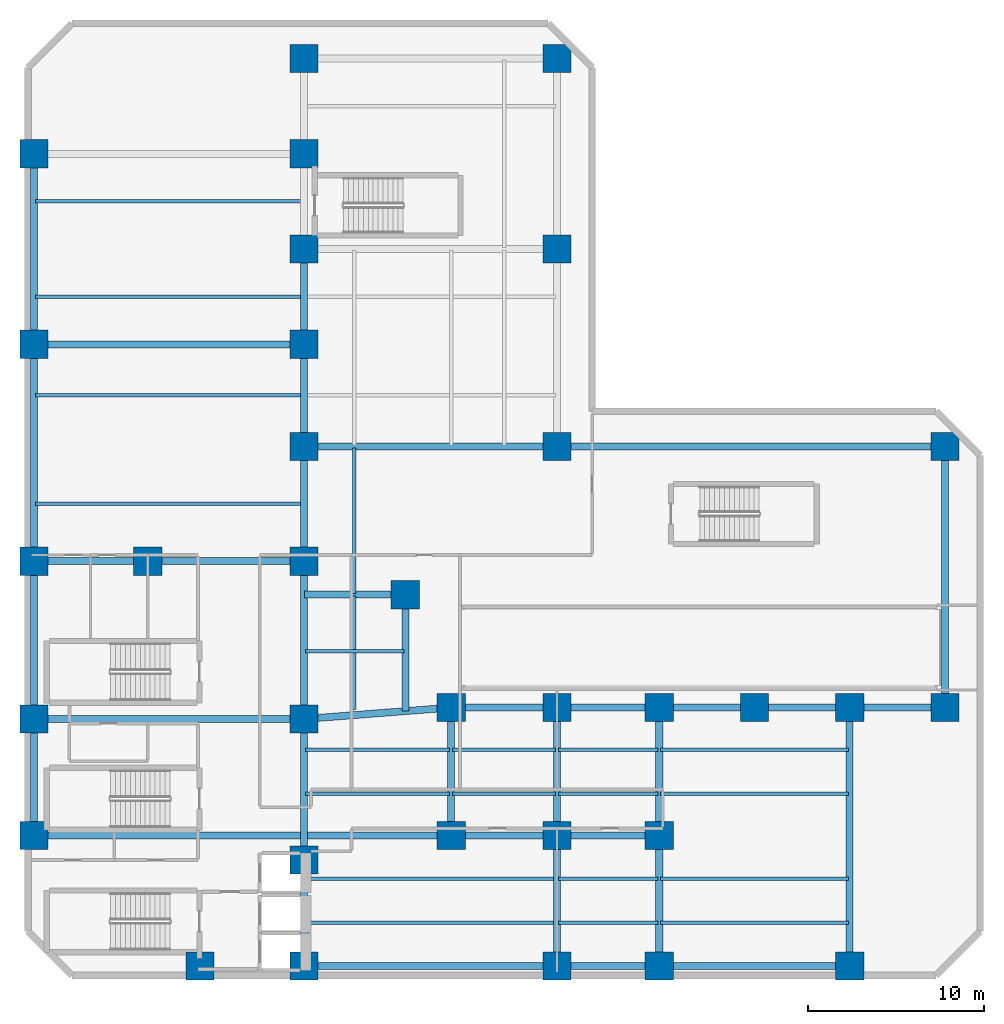
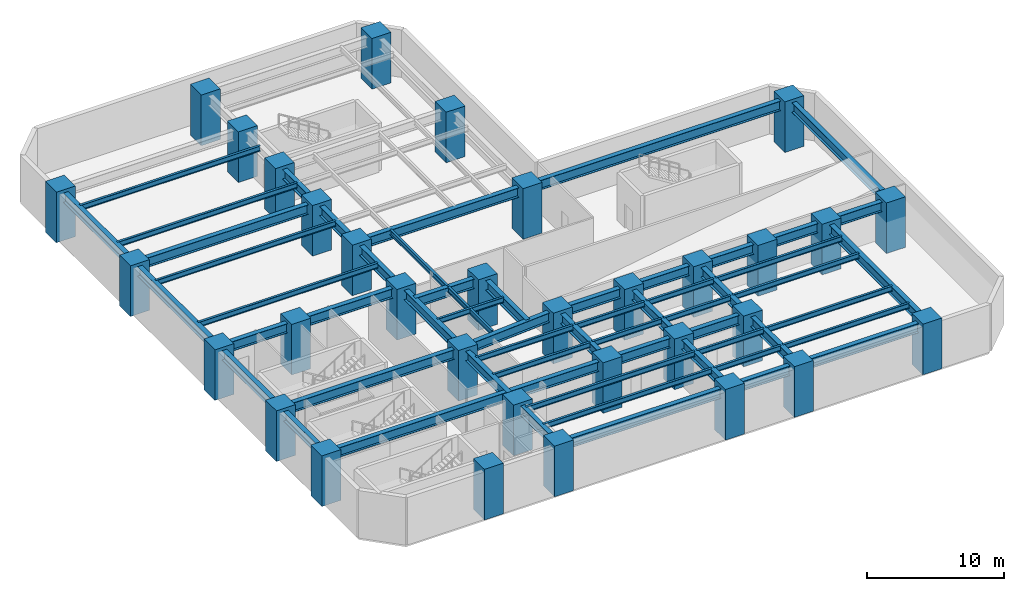
# One storey, part 1 of 7: 58 beams, 33 columns.
"""IFC4 building model written with IfcOpenShell, lengths in metres."""

from ifc_helpers import new_model, si_unit, direction, frame, origin, origin_2d, place, context, subcontext, project, spatial, rectangle, i_section, extrude, material, material_profile, profile_set, type_object, element, save


model = new_model("IFC4")

# Units and contexts
model_context = context("Model", 3, precision=1e-05, world=origin(), true_north=direction((0.0, 1.0)))
body_context = subcontext(model_context, "Body", "Model", "MODEL_VIEW")
ifc_project = project(units=[si_unit("LENGTHUNIT", "METRE"), si_unit("AREAUNIT", "SQUARE_METRE"), si_unit("VOLUMEUNIT", "CUBIC_METRE"), si_unit("PLANEANGLEUNIT", "RADIAN"), si_unit("MASSUNIT", "GRAM", prefix="KILO")], contexts=[model_context])

# Site, building, storey
site_placement = place(None, origin())
site = spatial("IfcSite", under=ifc_project, at=site_placement, CompositionType="ELEMENT")
building_placement = place(site_placement, origin())
building = spatial("IfcBuilding", under=site, at=building_placement, Name="Mawjaban Terraces University", CompositionType="ELEMENT")
storey_placement = place(building_placement, frame((0.0, 0.0, -4.5)))
storey = spatial("IfcBuildingStorey", under=building, at=storey_placement, Name="B1", CompositionType="ELEMENT", Elevation=-4.5)

# Columns
ifc_material_1 = material(Name="Concrete C70/85", Category="concrete")
ifc_material_profile_1 = material_profile(ifc_material_1, rectangle(XDim=1.60009765625, YDim=1.60009765625, at=origin_2d()), Name="RC1600X1600")
ifc_profile_set_1 = profile_set([ifc_material_profile_1], Name="Concrete C70/85")
column_type = type_object("IfcColumnType", Name="Col_RC1600X1600", PredefinedType="COLUMN", material=ifc_profile_set_1)
for number, where, z_axis, x_axis, name in (
    (1, (31.75, 0.550048828125, 0.0), (0.0, 0.0, 1.0), (1.0, 0.0, 0.0), "B1 Column CC2"),
    (2, (37.64990234375, 0.550048828125, 0.0), (0.0, 0.0, 1.0), (1.0, 0.0, 0.0), "B1 Column CC3"),
    (3, (22.35009765625, 7.949951171875, 0.0), (0.0, 0.0, 1.0), (1.0, 0.0, 0.0), "B1 Column CC4"),
    (4, (37.64990234375, 6.550048828125, 0.0), (0.0, 0.0, 1.0), (1.0, 0.0, 0.0), "B1 Column CC5"),
    (5, (22.35009765625, 14.550048828125, 0.0), (0.0, 0.0, 1.0), (1.0, 0.0, 0.0), "B1 Column CC6"),
    (6, (37.64990234375, 14.550048828125, 0.0), (0.0, 0.0, 1.0), (1.0, 0.0, 0.0), "B1 Column CC7"),
    (7, (22.35009765625, 23.5, 0.0), (0.0, 0.0, 1.0), (1.0, 0.0, 0.0), "B1 Column CC8"),
    (8, (28.800048828125, 23.5, 0.0), (0.0, 0.0, 1.0), (1.0, 0.0, 0.0), "B1 Column CC9"),
    (9, (37.64990234375, 23.5, 0.0), (0.0, 0.0, 1.0), (1.0, 0.0, 0.0), "B1 Column CC10"),
    (10, (46.0, 7.949951171875, 0.0), (0.0, 0.0, 1.0), (1.0, 0.0, 0.0), "B1 Column TE-460-080"),
    (11, (46.0, 15.199951171875, 0.0), (0.0, 0.0, 1.0), (1.0, 0.0, 0.0), "B1 Column TE-460-152"),
    (12, (52.0, 0.550048828125, 0.0), (0.0, 0.0, 1.0), (1.0, 0.0, 0.0), "B1 Column TE-520-005"),
    (13, (52.0, 7.949951171875, 0.0), (0.0, 0.0, 1.0), (1.0, 0.0, 0.0), "B1 Column TE-520-080"),
    (14, (52.0, 15.199951171875, 0.0), (0.0, 0.0, 1.0), (1.0, 0.0, 0.0), "B1 Column TE-520-152"),
    (15, (57.800048828125, 0.550048828125, 0.0), (0.0, 0.0, 1.0), (1.0, 0.0, 0.0), "B1 Column TE-578-005"),
    (16, (57.800048828125, 7.949951171875, 0.0), (0.0, 0.0, 1.0), (1.0, 0.0, 0.0), "B1 Column TE-578-080"),
    (17, (57.800048828125, 15.199951171875, 0.0), (0.0, 0.0, 1.0), (1.0, 0.0, 0.0), "B1 Column TE-578-152"),
    (18, (63.199951171875, 15.199951171875, 0.0), (0.0, 0.0, 1.0), (1.0, 0.0, 0.0), "B1 Column TE-632-152"),
    (19, (68.60009765625, 0.550048828125, 0.0), (0.0, 0.0, 1.0), (1.0, 0.0, 0.0), "B1 Column TE-686-005"),
    (20, (68.60009765625, 15.199951171875, 0.0), (0.0, 0.0, 1.0), (1.0, 0.0, 0.0), "B1 Column TE-686-152"),
    (21, (74.0, 15.199951171875, 0.0), (0.0, 0.0, 1.0), (1.0, 0.0, 0.0), "B1 Column TE-740-152"),
    (22, (37.64990234375, 30.0, 0.0), (0.0, 0.0, 1.0), (1.0, 0.0, 0.0), "B1 Column TN-376-300"),
    (23, (22.35009765625, 35.800048828125, 0.0), (0.0, 0.0, 1.0), (1.0, 0.0, 0.0), "B1 Column TN-223-358"),
    (24, (37.64990234375, 35.800048828125, 0.0), (0.0, 0.0, 1.0), (1.0, 0.0, 0.0), "B1 Column TN-376-358"),
    (25, (37.64990234375, 41.199951171875, 0.0), (0.0, 0.0, 1.0), (1.0, 0.0, 0.0), "B1 Column TN-376-412"),
    (26, (22.35009765625, 46.60009765625, 0.0), (0.0, 0.0, 1.0), (1.0, 0.0, 0.0), "B1 Column TN-223-466"),
    (27, (37.64990234375, 46.60009765625, 0.0), (0.0, 0.0, 1.0), (1.0, 0.0, 0.0), "B1 Column TN-376-466"),
    (28, (37.64990234375, 52.0, 0.0), (0.0, 0.0, 1.0), (1.0, 0.0, 0.0), "B1 Column TN-376-520"),
    (29, (43.39990234375, 21.60009765625, 0.0), (0.0, 0.0, 1.0), (1.0, 0.0, 0.0), "B1 Column TS-434-216"),
    (30, (52.0, 30.0, 0.0), (0.0, 0.0, 1.0), (1.0, 0.0, 0.0), "B1 Column PM-520-300"),
    (31, (74.0, 30.0, 0.0), (0.0, 0.0, 1.0), (1.0, 0.0, 0.0), "B1 Column PM-740-300"),
    (32, (52.0, 41.199951171875, 0.0), (0.0, 0.0, 1.0), (1.0, 0.0, 0.0), "B1 Column PM-520-412"),
    (33, (52.0, 52.0, 0.0), (0.0, 0.0, 1.0), (1.0, 0.0, 0.0), "B1 Column PM-520-520"),
):
    element("IfcColumn", number, at=place(storey_placement, frame(where, z_axis=z_axis, x_axis=x_axis)), inside=storey, type_object=column_type, Name=name, PredefinedType="COLUMN", context=body_context, shape_type="SweptSolid", body=[
        extrude(rectangle(XDim=1.60009765625, YDim=1.60009765625, at=origin_2d()), origin(), (0.0, 0.0, 1.0), 4.5),
    ])

# Beams
ifc_material_2 = material(Name="Steel ASTM A572 Grade 50", Category="steel")
ifc_material_profile_2 = material_profile(ifc_material_2, i_section(OverallWidth=0.39990234375, OverallDepth=0.85498046875, WebThickness=0.018310546875, FlangeThickness=0.029296875, at=origin_2d()), Name="W840X299")
ifc_profile_set_2 = profile_set([ifc_material_profile_2], Name="Steel ASTM A572 Grade 50")
beam_type_1 = type_object("IfcBeamType", Name="Beam_B_W840X299", PredefinedType="BEAM", material=ifc_profile_set_2)
beam_1_placement = place(storey_placement, frame((38.449951171875, 0.550048828125, 3.7919921875), z_axis=(1.0, 0.0, 0.0), x_axis=(0.0, 1.0, 0.0)))
element("IfcBeam", 34, at=beam_1_placement, inside=storey, type_object=beam_type_1, Name="B1 Beam BM-B1-EW-01", PredefinedType="BEAM", context=body_context, shape_type="SweptSolid", body=[
    extrude(i_section(OverallWidth=0.39990234375, OverallDepth=0.85498046875, WebThickness=0.018310546875, FlangeThickness=0.029296875, at=origin_2d()), origin(), (0.0, 0.0, 1.0), 12.75),
])
beam_2_placement = place(storey_placement, frame((52.800048828125, 0.550048828125, 3.7919921875), z_axis=(1.0, 0.0, 0.0), x_axis=(0.0, 1.0, 0.0)))
element("IfcBeam", 35, at=beam_2_placement, inside=storey, type_object=beam_type_1, Name="B1 Beam BM-B1-EW-02", PredefinedType="BEAM", context=body_context, shape_type="SweptSolid", body=[
    extrude(i_section(OverallWidth=0.39990234375, OverallDepth=0.85498046875, WebThickness=0.018310546875, FlangeThickness=0.029296875, at=origin_2d()), origin(), (0.0, 0.0, 1.0), 4.199951171875),
])
beam_3_placement = place(storey_placement, frame((58.60009765625, 0.550048828125, 3.7919921875), z_axis=(1.0, 0.0, 0.0), x_axis=(0.0, 1.0, 0.0)))
element("IfcBeam", 36, at=beam_3_placement, inside=storey, type_object=beam_type_1, Name="B1 Beam BM-B1-EW-03", PredefinedType="BEAM", context=body_context, shape_type="SweptSolid", body=[
    extrude(i_section(OverallWidth=0.39990234375, OverallDepth=0.85498046875, WebThickness=0.018310546875, FlangeThickness=0.029296875, at=origin_2d()), origin(), (0.0, 0.0, 1.0), 9.199951171875),
])
beam_4_placement = place(storey_placement, frame((23.14990234375, 7.949951171875, 3.7919921875), z_axis=(1.0, 0.0, 0.0), x_axis=(0.0, 1.0, 0.0)))
element("IfcBeam", 37, at=beam_4_placement, inside=storey, type_object=beam_type_1, Name="B1 Beam BM-B1-EW-04", PredefinedType="BEAM", context=body_context, shape_type="SweptSolid", body=[
    extrude(i_section(OverallWidth=0.39990234375, OverallDepth=0.85498046875, WebThickness=0.018310546875, FlangeThickness=0.029296875, at=origin_2d()), origin(), (0.0, 0.0, 1.0), 22.050048828125),
])
beam_5_placement = place(storey_placement, frame((46.800048828125, 7.949951171875, 3.7919921875), z_axis=(1.0, 0.0, 0.0), x_axis=(0.0, 1.0, 0.0)))
element("IfcBeam", 38, at=beam_5_placement, inside=storey, type_object=beam_type_1, Name="B1 Beam BM-B1-EW-05", PredefinedType="BEAM", context=body_context, shape_type="SweptSolid", body=[
    extrude(i_section(OverallWidth=0.39990234375, OverallDepth=0.85498046875, WebThickness=0.018310546875, FlangeThickness=0.029296875, at=origin_2d()), origin(), (0.0, 0.0, 1.0), 4.39990234375),
])
beam_6_placement = place(storey_placement, frame((52.800048828125, 7.949951171875, 3.7919921875), z_axis=(1.0, 0.0, 0.0), x_axis=(0.0, 1.0, 0.0)))
element("IfcBeam", 39, at=beam_6_placement, inside=storey, type_object=beam_type_1, Name="B1 Beam BM-B1-EW-06", PredefinedType="BEAM", context=body_context, shape_type="SweptSolid", body=[
    extrude(i_section(OverallWidth=0.39990234375, OverallDepth=0.85498046875, WebThickness=0.018310546875, FlangeThickness=0.029296875, at=origin_2d()), origin(), (0.0, 0.0, 1.0), 4.199951171875),
])
beam_7_placement = place(storey_placement, frame((23.14990234375, 14.550048828125, 3.7919921875), z_axis=(1.0, 0.0, 0.0), x_axis=(0.0, 1.0, 0.0)))
element("IfcBeam", 40, at=beam_7_placement, inside=storey, type_object=beam_type_1, Name="B1 Beam BM-B1-EW-07", PredefinedType="BEAM", context=body_context, shape_type="SweptSolid", body=[
    extrude(i_section(OverallWidth=0.39990234375, OverallDepth=0.85498046875, WebThickness=0.018310546875, FlangeThickness=0.029296875, at=origin_2d()), origin(), (0.0, 0.0, 1.0), 13.7001953125),
])
beam_8_placement = place(storey_placement, frame((46.800048828125, 15.199951171875, 3.7919921875), z_axis=(1.0, 0.0, 0.0), x_axis=(0.0, 1.0, 0.0)))
element("IfcBeam", 41, at=beam_8_placement, inside=storey, type_object=beam_type_1, Name="B1 Beam BM-B1-EW-08", PredefinedType="BEAM", context=body_context, shape_type="SweptSolid", body=[
    extrude(i_section(OverallWidth=0.39990234375, OverallDepth=0.85498046875, WebThickness=0.018310546875, FlangeThickness=0.029296875, at=origin_2d()), origin(), (0.0, 0.0, 1.0), 4.39990234375),
])
beam_9_placement = place(storey_placement, frame((52.800048828125, 15.199951171875, 3.7919921875), z_axis=(1.0, 0.0, 0.0), x_axis=(0.0, 1.0, 0.0)))
element("IfcBeam", 42, at=beam_9_placement, inside=storey, type_object=beam_type_1, Name="B1 Beam BM-B1-EW-09", PredefinedType="BEAM", context=body_context, shape_type="SweptSolid", body=[
    extrude(i_section(OverallWidth=0.39990234375, OverallDepth=0.85498046875, WebThickness=0.018310546875, FlangeThickness=0.029296875, at=origin_2d()), origin(), (0.0, 0.0, 1.0), 4.199951171875),
])
beam_10_placement = place(storey_placement, frame((58.60009765625, 15.199951171875, 3.7919921875), z_axis=(1.0, 0.0, 0.0), x_axis=(0.0, 1.0, 0.0)))
element("IfcBeam", 43, at=beam_10_placement, inside=storey, type_object=beam_type_1, Name="B1 Beam BM-B1-EW-10", PredefinedType="BEAM", context=body_context, shape_type="SweptSolid", body=[
    extrude(i_section(OverallWidth=0.39990234375, OverallDepth=0.85498046875, WebThickness=0.018310546875, FlangeThickness=0.029296875, at=origin_2d()), origin(), (0.0, 0.0, 1.0), 3.7998046875),
])
for number, where, z_axis, x_axis, name in (
    (44, (64.0, 15.199951171875, 3.7919921875), (1.0, 0.0, 0.0), (0.0, 1.0, 0.0), "B1 Beam BM-B1-EW-11"),
    (45, (69.39990234375, 15.199951171875, 3.7919921875), (1.0, 0.0, 0.0), (0.0, 1.0, 0.0), "B1 Beam BM-B1-EW-12"),
):
    element("IfcBeam", number, at=place(storey_placement, frame(where, z_axis=z_axis, x_axis=x_axis)), inside=storey, type_object=beam_type_1, Name=name, PredefinedType="BEAM", context=body_context, shape_type="SweptSolid", body=[
        extrude(i_section(OverallWidth=0.39990234375, OverallDepth=0.85498046875, WebThickness=0.018310546875, FlangeThickness=0.029296875, at=origin_2d()), origin(), (0.0, 0.0, 1.0), 3.800048828125),
    ])
beam_11_placement = place(storey_placement, frame((23.14990234375, 23.5, 3.7919921875), z_axis=(1.0, 0.0, 0.0), x_axis=(0.0, 1.0, 0.0)))
element("IfcBeam", 46, at=beam_11_placement, inside=storey, type_object=beam_type_1, Name="B1 Beam BM-B1-EW-13", PredefinedType="BEAM", context=body_context, shape_type="SweptSolid", body=[
    extrude(i_section(OverallWidth=0.39990234375, OverallDepth=0.85498046875, WebThickness=0.018310546875, FlangeThickness=0.029296875, at=origin_2d()), origin(), (0.0, 0.0, 1.0), 4.85009765625),
])
beam_12_placement = place(storey_placement, frame((29.60009765625, 23.5, 3.7919921875), z_axis=(1.0, 0.0, 0.0), x_axis=(0.0, 1.0, 0.0)))
element("IfcBeam", 47, at=beam_12_placement, inside=storey, type_object=beam_type_1, Name="B1 Beam BM-B1-EW-14", PredefinedType="BEAM", context=body_context, shape_type="SweptSolid", body=[
    extrude(i_section(OverallWidth=0.39990234375, OverallDepth=0.85498046875, WebThickness=0.018310546875, FlangeThickness=0.029296875, at=origin_2d()), origin(), (0.0, 0.0, 1.0), 7.25),
])
beam_13_placement = place(storey_placement, frame((38.449951171875, 30.0, 3.7919921875), z_axis=(1.0, 0.0, 0.0), x_axis=(0.0, 1.0, 0.0)))
element("IfcBeam", 48, at=beam_13_placement, inside=storey, type_object=beam_type_1, Name="B1 Beam BM-B1-EW-15", PredefinedType="BEAM", context=body_context, shape_type="SweptSolid", body=[
    extrude(i_section(OverallWidth=0.39990234375, OverallDepth=0.85498046875, WebThickness=0.018310546875, FlangeThickness=0.029296875, at=origin_2d()), origin(), (0.0, 0.0, 1.0), 12.75),
])
beam_14_placement = place(storey_placement, frame((52.800048828125, 30.0, 3.7919921875), z_axis=(1.0, 0.0, 0.0), x_axis=(0.0, 1.0, 0.0)))
element("IfcBeam", 49, at=beam_14_placement, inside=storey, type_object=beam_type_1, Name="B1 Beam BM-B1-EW-16", PredefinedType="BEAM", context=body_context, shape_type="SweptSolid", body=[
    extrude(i_section(OverallWidth=0.39990234375, OverallDepth=0.85498046875, WebThickness=0.018310546875, FlangeThickness=0.029296875, at=origin_2d()), origin(), (0.0, 0.0, 1.0), 20.39990234375),
])
beam_15_placement = place(storey_placement, frame((23.14990234375, 35.800048828125, 3.7919921875), z_axis=(1.0, 0.0, 0.0), x_axis=(0.0, 1.0, 0.0)))
element("IfcBeam", 50, at=beam_15_placement, inside=storey, type_object=beam_type_1, Name="B1 Beam BM-B1-EW-17", PredefinedType="BEAM", context=body_context, shape_type="SweptSolid", body=[
    extrude(i_section(OverallWidth=0.39990234375, OverallDepth=0.85498046875, WebThickness=0.018310546875, FlangeThickness=0.029296875, at=origin_2d()), origin(), (0.0, 0.0, 1.0), 13.7001953125),
])
beam_16_placement = place(storey_placement, frame((22.35009765625, 8.75, 3.7919921875), z_axis=(0.0, 1.0, 0.0), x_axis=(-1.0, 0.0, 0.0)))
element("IfcBeam", 51, at=beam_16_placement, inside=storey, type_object=beam_type_1, Name="B1 Beam BM-B1-NS-01", PredefinedType="BEAM", context=body_context, shape_type="SweptSolid", body=[
    extrude(i_section(OverallWidth=0.39990234375, OverallDepth=0.85498046875, WebThickness=0.018310546875, FlangeThickness=0.029296875, at=origin_2d()), origin(), (0.0, 0.0, 1.0), 5.0),
])
beam_17_placement = place(storey_placement, frame((22.35009765625, 15.35009765625, 3.7919921875), z_axis=(0.0, 1.0, 0.0), x_axis=(-1.0, 0.0, 0.0)))
element("IfcBeam", 52, at=beam_17_placement, inside=storey, type_object=beam_type_1, Name="B1 Beam BM-B1-NS-02", PredefinedType="BEAM", context=body_context, shape_type="SweptSolid", body=[
    extrude(i_section(OverallWidth=0.39990234375, OverallDepth=0.85498046875, WebThickness=0.018310546875, FlangeThickness=0.029296875, at=origin_2d()), origin(), (0.0, 0.0, 1.0), 7.349853515625),
])
beam_18_placement = place(storey_placement, frame((22.35009765625, 24.300048828125, 3.7919921875), z_axis=(0.0, 1.0, 0.0), x_axis=(-1.0, 0.0, 0.0)))
element("IfcBeam", 53, at=beam_18_placement, inside=storey, type_object=beam_type_1, Name="B1 Beam BM-B1-NS-03", PredefinedType="BEAM", context=body_context, shape_type="SweptSolid", body=[
    extrude(i_section(OverallWidth=0.39990234375, OverallDepth=0.85498046875, WebThickness=0.018310546875, FlangeThickness=0.029296875, at=origin_2d()), origin(), (0.0, 0.0, 1.0), 10.699951171875),
])
beam_19_placement = place(storey_placement, frame((22.35009765625, 36.60009765625, 3.7919921875), z_axis=(0.0, 1.0, 0.0), x_axis=(-1.0, 0.0, 0.0)))
element("IfcBeam", 54, at=beam_19_placement, inside=storey, type_object=beam_type_1, Name="B1 Beam BM-B1-NS-04", PredefinedType="BEAM", context=body_context, shape_type="SweptSolid", body=[
    extrude(i_section(OverallWidth=0.39990234375, OverallDepth=0.85498046875, WebThickness=0.018310546875, FlangeThickness=0.029296875, at=origin_2d()), origin(), (0.0, 0.0, 1.0), 9.199951171875),
])
beam_20_placement = place(storey_placement, frame((37.64990234375, 1.35009765625, 3.7919921875), z_axis=(0.0, 1.0, 0.0), x_axis=(-1.0, 0.0, 0.0)))
element("IfcBeam", 55, at=beam_20_placement, inside=storey, type_object=beam_type_1, Name="B1 Beam BM-B1-NS-05", PredefinedType="BEAM", context=body_context, shape_type="SweptSolid", body=[
    extrude(i_section(OverallWidth=0.39990234375, OverallDepth=0.85498046875, WebThickness=0.018310546875, FlangeThickness=0.029296875, at=origin_2d()), origin(), (0.0, 0.0, 1.0), 4.39990234375),
])
beam_21_placement = place(storey_placement, frame((37.64990234375, 7.35009765625, 3.7919921875), z_axis=(0.0, 1.0, 0.0), x_axis=(-1.0, 0.0, 0.0)))
element("IfcBeam", 56, at=beam_21_placement, inside=storey, type_object=beam_type_1, Name="B1 Beam BM-B1-NS-06", PredefinedType="BEAM", context=body_context, shape_type="SweptSolid", body=[
    extrude(i_section(OverallWidth=0.39990234375, OverallDepth=0.85498046875, WebThickness=0.018310546875, FlangeThickness=0.029296875, at=origin_2d()), origin(), (0.0, 0.0, 1.0), 6.39990234375),
])
beam_22_placement = place(storey_placement, frame((37.64990234375, 15.35009765625, 3.7919921875), z_axis=(0.0, 1.0, 0.0), x_axis=(-1.0, 0.0, 0.0)))
element("IfcBeam", 57, at=beam_22_placement, inside=storey, type_object=beam_type_1, Name="B1 Beam BM-B1-NS-07", PredefinedType="BEAM", context=body_context, shape_type="SweptSolid", body=[
    extrude(i_section(OverallWidth=0.39990234375, OverallDepth=0.85498046875, WebThickness=0.018310546875, FlangeThickness=0.029296875, at=origin_2d()), origin(), (0.0, 0.0, 1.0), 7.349853515625),
])
beam_23_placement = place(storey_placement, frame((37.64990234375, 24.300048828125, 3.7919921875), z_axis=(0.0, 1.0, 0.0), x_axis=(-1.0, 0.0, 0.0)))
element("IfcBeam", 58, at=beam_23_placement, inside=storey, type_object=beam_type_1, Name="B1 Beam BM-B1-NS-08", PredefinedType="BEAM", context=body_context, shape_type="SweptSolid", body=[
    extrude(i_section(OverallWidth=0.39990234375, OverallDepth=0.85498046875, WebThickness=0.018310546875, FlangeThickness=0.029296875, at=origin_2d()), origin(), (0.0, 0.0, 1.0), 4.89990234375),
])
beam_24_placement = place(storey_placement, frame((37.64990234375, 30.800048828125, 3.7919921875), z_axis=(0.0, 1.0, 0.0), x_axis=(-1.0, 0.0, 0.0)))
element("IfcBeam", 59, at=beam_24_placement, inside=storey, type_object=beam_type_1, Name="B1 Beam BM-B1-NS-09", PredefinedType="BEAM", context=body_context, shape_type="SweptSolid", body=[
    extrude(i_section(OverallWidth=0.39990234375, OverallDepth=0.85498046875, WebThickness=0.018310546875, FlangeThickness=0.029296875, at=origin_2d()), origin(), (0.0, 0.0, 1.0), 4.199951171875),
])
beam_25_placement = place(storey_placement, frame((37.64990234375, 36.60009765625, 3.7919921875), z_axis=(0.0, 1.0, 0.0), x_axis=(-1.0, 0.0, 0.0)))
element("IfcBeam", 60, at=beam_25_placement, inside=storey, type_object=beam_type_1, Name="B1 Beam BM-B1-NS-10", PredefinedType="BEAM", context=body_context, shape_type="SweptSolid", body=[
    extrude(i_section(OverallWidth=0.39990234375, OverallDepth=0.85498046875, WebThickness=0.018310546875, FlangeThickness=0.029296875, at=origin_2d()), origin(), (0.0, 0.0, 1.0), 3.7998046875),
])
beam_26_placement = place(storey_placement, frame((46.0, 8.75, 3.7919921875), z_axis=(0.0, 1.0, 0.0), x_axis=(-1.0, 0.0, 0.0)))
element("IfcBeam", 61, at=beam_26_placement, inside=storey, type_object=beam_type_1, Name="B1 Beam BM-B1-NS-13", PredefinedType="BEAM", context=body_context, shape_type="SweptSolid", body=[
    extrude(i_section(OverallWidth=0.39990234375, OverallDepth=0.85498046875, WebThickness=0.018310546875, FlangeThickness=0.029296875, at=origin_2d()), origin(), (0.0, 0.0, 1.0), 5.64990234375),
])
beam_27_placement = place(storey_placement, frame((52.0, 1.35009765625, 3.7919921875), z_axis=(0.0, 1.0, 0.0), x_axis=(-1.0, 0.0, 0.0)))
element("IfcBeam", 62, at=beam_27_placement, inside=storey, type_object=beam_type_1, Name="B1 Beam BM-B1-NS-14", PredefinedType="BEAM", context=body_context, shape_type="SweptSolid", body=[
    extrude(i_section(OverallWidth=0.39990234375, OverallDepth=0.85498046875, WebThickness=0.018310546875, FlangeThickness=0.029296875, at=origin_2d()), origin(), (0.0, 0.0, 1.0), 5.7998046875),
])
beam_28_placement = place(storey_placement, frame((52.0, 8.75, 3.7919921875), z_axis=(0.0, 1.0, 0.0), x_axis=(-1.0, 0.0, 0.0)))
element("IfcBeam", 63, at=beam_28_placement, inside=storey, type_object=beam_type_1, Name="B1 Beam BM-B1-NS-15", PredefinedType="BEAM", context=body_context, shape_type="SweptSolid", body=[
    extrude(i_section(OverallWidth=0.39990234375, OverallDepth=0.85498046875, WebThickness=0.018310546875, FlangeThickness=0.029296875, at=origin_2d()), origin(), (0.0, 0.0, 1.0), 5.64990234375),
])
beam_29_placement = place(storey_placement, frame((57.800048828125, 1.35009765625, 3.7919921875), z_axis=(0.0, 1.0, 0.0), x_axis=(-1.0, 0.0, 0.0)))
element("IfcBeam", 64, at=beam_29_placement, inside=storey, type_object=beam_type_1, Name="B1 Beam BM-B1-NS-18", PredefinedType="BEAM", context=body_context, shape_type="SweptSolid", body=[
    extrude(i_section(OverallWidth=0.39990234375, OverallDepth=0.85498046875, WebThickness=0.018310546875, FlangeThickness=0.029296875, at=origin_2d()), origin(), (0.0, 0.0, 1.0), 5.7998046875),
])
beam_30_placement = place(storey_placement, frame((57.800048828125, 8.75, 3.7919921875), z_axis=(0.0, 1.0, 0.0), x_axis=(-1.0, 0.0, 0.0)))
element("IfcBeam", 65, at=beam_30_placement, inside=storey, type_object=beam_type_1, Name="B1 Beam BM-B1-NS-19", PredefinedType="BEAM", context=body_context, shape_type="SweptSolid", body=[
    extrude(i_section(OverallWidth=0.39990234375, OverallDepth=0.85498046875, WebThickness=0.018310546875, FlangeThickness=0.029296875, at=origin_2d()), origin(), (0.0, 0.0, 1.0), 5.64990234375),
])
beam_31_placement = place(storey_placement, frame((68.60009765625, 1.35009765625, 3.7919921875), z_axis=(0.0, 1.0, 0.0), x_axis=(-1.0, 0.0, 0.0)))
element("IfcBeam", 66, at=beam_31_placement, inside=storey, type_object=beam_type_1, Name="B1 Beam BM-B1-NS-20", PredefinedType="BEAM", context=body_context, shape_type="SweptSolid", body=[
    extrude(i_section(OverallWidth=0.39990234375, OverallDepth=0.85498046875, WebThickness=0.018310546875, FlangeThickness=0.029296875, at=origin_2d()), origin(), (0.0, 0.0, 1.0), 13.0498046875),
])
beam_32_placement = place(storey_placement, frame((74.0, 16.0, 3.7919921875), z_axis=(0.0, 1.0, 0.0), x_axis=(-1.0, 0.0, 0.0)))
element("IfcBeam", 67, at=beam_32_placement, inside=storey, type_object=beam_type_1, Name="B1 Beam BM-B1-NS-21", PredefinedType="BEAM", context=body_context, shape_type="SweptSolid", body=[
    extrude(i_section(OverallWidth=0.39990234375, OverallDepth=0.85498046875, WebThickness=0.018310546875, FlangeThickness=0.029296875, at=origin_2d()), origin(), (0.0, 0.0, 1.0), 13.199951171875),
])
beam_33_placement = place(storey_placement, frame((38.447998046875, 14.612060546875, 3.7919921875), z_axis=(0.996982396396, 0.077627967099, 0.0), x_axis=(-0.077627967099, 0.996982396396, 0.0)))
element("IfcBeam", 68, at=beam_33_placement, inside=storey, type_object=beam_type_1, Name="B1 Beam BM-B1-CTIE", PredefinedType="BEAM", context=body_context, shape_type="SweptSolid", body=[
    extrude(i_section(OverallWidth=0.39990234375, OverallDepth=0.85498046875, WebThickness=0.018310546875, FlangeThickness=0.029296875, at=origin_2d()), origin(), (0.0, 0.0, 1.0), 6.7744140625),
])
beam_34_placement = place(storey_placement, frame((37.679931640625, 21.60009765625, 3.7919921875), z_axis=(1.0, 0.0, 0.0), x_axis=(0.0, 1.0, 0.0)))
element("IfcBeam", 69, at=beam_34_placement, inside=storey, type_object=beam_type_1, Name="B1 Spur Tie Girder West", PredefinedType="BEAM", context=body_context, shape_type="SweptSolid", body=[
    extrude(i_section(OverallWidth=0.39990234375, OverallDepth=0.85498046875, WebThickness=0.018310546875, FlangeThickness=0.029296875, at=origin_2d()), origin(), (0.0, 0.0, 1.0), 4.920166015625),
])
beam_35_placement = place(storey_placement, frame((43.39990234375, 15.0, 3.7919921875), z_axis=(0.0, 1.0, 0.0), x_axis=(-1.0, 0.0, 0.0)))
element("IfcBeam", 70, at=beam_35_placement, inside=storey, type_object=beam_type_1, Name="B1 Spur Tie Girder South", PredefinedType="BEAM", context=body_context, shape_type="SweptSolid", body=[
    extrude(i_section(OverallWidth=0.39990234375, OverallDepth=0.85498046875, WebThickness=0.018310546875, FlangeThickness=0.029296875, at=origin_2d()), origin(), (0.0, 0.0, 1.0), 5.800048828125),
])
ifc_material_profile_3 = material_profile(ifc_material_2, i_section(OverallWidth=0.194091796875, OverallDepth=0.468994140625, WebThickness=0.011474609375, FlangeThickness=0.0205078125, at=origin_2d()), Name="W460X106")
ifc_profile_set_3 = profile_set([ifc_material_profile_3], Name="Steel ASTM A572 Grade 50")
beam_type_2 = type_object("IfcBeamType", Name="Beam_J_W460X106", PredefinedType="JOIST", material=ifc_profile_set_3)
beam_36_placement = place(storey_placement, frame((37.72998046875, 3.0, 3.986083984375), z_axis=(1.0, 0.0, 0.0), x_axis=(0.0, 1.0, 0.0)))
element("IfcBeam", 71, at=beam_36_placement, inside=storey, type_object=beam_type_2, Name="B1 Composite Joist JST-B1-01", PredefinedType="JOIST", context=body_context, shape_type="SweptSolid", body=[
    extrude(i_section(OverallWidth=0.194091796875, OverallDepth=0.468994140625, WebThickness=0.011474609375, FlangeThickness=0.0205078125, at=origin_2d()), origin(), (0.0, 0.0, 1.0), 14.18994140625),
])
beam_37_placement = place(storey_placement, frame((52.080078125, 3.0, 3.986083984375), z_axis=(1.0, 0.0, 0.0), x_axis=(0.0, 1.0, 0.0)))
element("IfcBeam", 72, at=beam_37_placement, inside=storey, type_object=beam_type_2, Name="B1 Composite Joist JST-B1-02", PredefinedType="JOIST", context=body_context, shape_type="SweptSolid", body=[
    extrude(i_section(OverallWidth=0.194091796875, OverallDepth=0.468994140625, WebThickness=0.011474609375, FlangeThickness=0.0205078125, at=origin_2d()), origin(), (0.0, 0.0, 1.0), 5.639892578125),
])
beam_38_placement = place(storey_placement, frame((57.8798828125, 3.0, 3.986083984375), z_axis=(1.0, 0.0, 0.0), x_axis=(0.0, 1.0, 0.0)))
element("IfcBeam", 73, at=beam_38_placement, inside=storey, type_object=beam_type_2, Name="B1 Composite Joist JST-B1-03", PredefinedType="JOIST", context=body_context, shape_type="SweptSolid", body=[
    extrude(i_section(OverallWidth=0.194091796875, OverallDepth=0.468994140625, WebThickness=0.011474609375, FlangeThickness=0.0205078125, at=origin_2d()), origin(), (0.0, 0.0, 1.0), 10.64013671875),
])
beam_39_placement = place(storey_placement, frame((37.72998046875, 5.5, 3.986083984375), z_axis=(1.0, 0.0, 0.0), x_axis=(0.0, 1.0, 0.0)))
element("IfcBeam", 74, at=beam_39_placement, inside=storey, type_object=beam_type_2, Name="B1 Composite Joist JST-B1-04", PredefinedType="JOIST", context=body_context, shape_type="SweptSolid", body=[
    extrude(i_section(OverallWidth=0.194091796875, OverallDepth=0.468994140625, WebThickness=0.011474609375, FlangeThickness=0.0205078125, at=origin_2d()), origin(), (0.0, 0.0, 1.0), 14.18994140625),
])
beam_40_placement = place(storey_placement, frame((52.080078125, 5.5, 3.986083984375), z_axis=(1.0, 0.0, 0.0), x_axis=(0.0, 1.0, 0.0)))
element("IfcBeam", 75, at=beam_40_placement, inside=storey, type_object=beam_type_2, Name="B1 Composite Joist JST-B1-05", PredefinedType="JOIST", context=body_context, shape_type="SweptSolid", body=[
    extrude(i_section(OverallWidth=0.194091796875, OverallDepth=0.468994140625, WebThickness=0.011474609375, FlangeThickness=0.0205078125, at=origin_2d()), origin(), (0.0, 0.0, 1.0), 5.639892578125),
])
beam_41_placement = place(storey_placement, frame((57.8798828125, 5.5, 3.986083984375), z_axis=(1.0, 0.0, 0.0), x_axis=(0.0, 1.0, 0.0)))
element("IfcBeam", 76, at=beam_41_placement, inside=storey, type_object=beam_type_2, Name="B1 Composite Joist JST-B1-06", PredefinedType="JOIST", context=body_context, shape_type="SweptSolid", body=[
    extrude(i_section(OverallWidth=0.194091796875, OverallDepth=0.468994140625, WebThickness=0.011474609375, FlangeThickness=0.0205078125, at=origin_2d()), origin(), (0.0, 0.0, 1.0), 10.64013671875),
])
beam_42_placement = place(storey_placement, frame((37.72998046875, 10.300048828125, 3.986083984375), z_axis=(1.0, 0.0, 0.0), x_axis=(0.0, 1.0, 0.0)))
element("IfcBeam", 77, at=beam_42_placement, inside=storey, type_object=beam_type_2, Name="B1 Composite Joist JST-B1-07", PredefinedType="JOIST", context=body_context, shape_type="SweptSolid", body=[
    extrude(i_section(OverallWidth=0.194091796875, OverallDepth=0.468994140625, WebThickness=0.011474609375, FlangeThickness=0.0205078125, at=origin_2d()), origin(), (0.0, 0.0, 1.0), 8.18994140625),
])
beam_43_placement = place(storey_placement, frame((46.080078125, 10.300048828125, 3.986083984375), z_axis=(1.0, 0.0, 0.0), x_axis=(0.0, 1.0, 0.0)))
element("IfcBeam", 78, at=beam_43_placement, inside=storey, type_object=beam_type_2, Name="B1 Composite Joist JST-B1-08", PredefinedType="JOIST", context=body_context, shape_type="SweptSolid", body=[
    extrude(i_section(OverallWidth=0.194091796875, OverallDepth=0.468994140625, WebThickness=0.011474609375, FlangeThickness=0.0205078125, at=origin_2d()), origin(), (0.0, 0.0, 1.0), 5.83984375),
])
beam_44_placement = place(storey_placement, frame((52.080078125, 10.300048828125, 3.986083984375), z_axis=(1.0, 0.0, 0.0), x_axis=(0.0, 1.0, 0.0)))
element("IfcBeam", 79, at=beam_44_placement, inside=storey, type_object=beam_type_2, Name="B1 Composite Joist JST-B1-09", PredefinedType="JOIST", context=body_context, shape_type="SweptSolid", body=[
    extrude(i_section(OverallWidth=0.194091796875, OverallDepth=0.468994140625, WebThickness=0.011474609375, FlangeThickness=0.0205078125, at=origin_2d()), origin(), (0.0, 0.0, 1.0), 5.639892578125),
])
beam_45_placement = place(storey_placement, frame((57.8798828125, 10.300048828125, 3.986083984375), z_axis=(1.0, 0.0, 0.0), x_axis=(0.0, 1.0, 0.0)))
element("IfcBeam", 80, at=beam_45_placement, inside=storey, type_object=beam_type_2, Name="B1 Composite Joist JST-B1-10", PredefinedType="JOIST", context=body_context, shape_type="SweptSolid", body=[
    extrude(i_section(OverallWidth=0.194091796875, OverallDepth=0.468994140625, WebThickness=0.011474609375, FlangeThickness=0.0205078125, at=origin_2d()), origin(), (0.0, 0.0, 1.0), 10.64013671875),
])
beam_46_placement = place(storey_placement, frame((37.72998046875, 12.800048828125, 3.986083984375), z_axis=(1.0, 0.0, 0.0), x_axis=(0.0, 1.0, 0.0)))
element("IfcBeam", 81, at=beam_46_placement, inside=storey, type_object=beam_type_2, Name="B1 Composite Joist JST-B1-11", PredefinedType="JOIST", context=body_context, shape_type="SweptSolid", body=[
    extrude(i_section(OverallWidth=0.194091796875, OverallDepth=0.468994140625, WebThickness=0.011474609375, FlangeThickness=0.0205078125, at=origin_2d()), origin(), (0.0, 0.0, 1.0), 8.18994140625),
])
beam_47_placement = place(storey_placement, frame((46.080078125, 12.800048828125, 3.986083984375), z_axis=(1.0, 0.0, 0.0), x_axis=(0.0, 1.0, 0.0)))
element("IfcBeam", 82, at=beam_47_placement, inside=storey, type_object=beam_type_2, Name="B1 Composite Joist JST-B1-12", PredefinedType="JOIST", context=body_context, shape_type="SweptSolid", body=[
    extrude(i_section(OverallWidth=0.194091796875, OverallDepth=0.468994140625, WebThickness=0.011474609375, FlangeThickness=0.0205078125, at=origin_2d()), origin(), (0.0, 0.0, 1.0), 5.83984375),
])
beam_48_placement = place(storey_placement, frame((52.080078125, 12.800048828125, 3.986083984375), z_axis=(1.0, 0.0, 0.0), x_axis=(0.0, 1.0, 0.0)))
element("IfcBeam", 83, at=beam_48_placement, inside=storey, type_object=beam_type_2, Name="B1 Composite Joist JST-B1-13", PredefinedType="JOIST", context=body_context, shape_type="SweptSolid", body=[
    extrude(i_section(OverallWidth=0.194091796875, OverallDepth=0.468994140625, WebThickness=0.011474609375, FlangeThickness=0.0205078125, at=origin_2d()), origin(), (0.0, 0.0, 1.0), 5.639892578125),
])
beam_49_placement = place(storey_placement, frame((57.8798828125, 12.800048828125, 3.986083984375), z_axis=(1.0, 0.0, 0.0), x_axis=(0.0, 1.0, 0.0)))
element("IfcBeam", 84, at=beam_49_placement, inside=storey, type_object=beam_type_2, Name="B1 Composite Joist JST-B1-14", PredefinedType="JOIST", context=body_context, shape_type="SweptSolid", body=[
    extrude(i_section(OverallWidth=0.194091796875, OverallDepth=0.468994140625, WebThickness=0.011474609375, FlangeThickness=0.0205078125, at=origin_2d()), origin(), (0.0, 0.0, 1.0), 10.64013671875),
])
beam_50_placement = place(storey_placement, frame((37.72998046875, 18.39990234375, 3.986083984375), z_axis=(1.0, 0.0, 0.0), x_axis=(0.0, 1.0, 0.0)))
element("IfcBeam", 85, at=beam_50_placement, inside=storey, type_object=beam_type_2, Name="B1 Composite Joist JST-B1-15", PredefinedType="JOIST", context=body_context, shape_type="SweptSolid", body=[
    extrude(i_section(OverallWidth=0.194091796875, OverallDepth=0.468994140625, WebThickness=0.011474609375, FlangeThickness=0.0205078125, at=origin_2d()), origin(), (0.0, 0.0, 1.0), 5.590087890625),
])
for number, where, z_axis, x_axis, name in (
    (86, (22.429931640625, 26.75, 3.986083984375), (1.0, 0.0, 0.0), (0.0, 1.0, 0.0), "B1 Composite Joist JST-B1-16"),
    (87, (22.429931640625, 32.89990234375, 3.986083984375), (1.0, 0.0, 0.0), (0.0, 1.0, 0.0), "B1 Composite Joist JST-B1-17"),
    (88, (22.429931640625, 38.5, 3.986083984375), (1.0, 0.0, 0.0), (0.0, 1.0, 0.0), "B1 Composite Joist JST-B1-19"),
    (89, (22.429931640625, 43.89990234375, 3.986083984375), (1.0, 0.0, 0.0), (0.0, 1.0, 0.0), "B1 Composite Joist JST-B1-21"),
):
    element("IfcBeam", number, at=place(storey_placement, frame(where, z_axis=z_axis, x_axis=x_axis)), inside=storey, type_object=beam_type_2, Name=name, PredefinedType="JOIST", context=body_context, shape_type="SweptSolid", body=[
        extrude(i_section(OverallWidth=0.194091796875, OverallDepth=0.468994140625, WebThickness=0.011474609375, FlangeThickness=0.0205078125, at=origin_2d()), origin(), (0.0, 0.0, 1.0), 15.14013671875),
    ])
beam_51_placement = place(storey_placement, frame((40.5, 15.080078125, 3.986083984375), z_axis=(0.0, 1.0, 0.0), x_axis=(-1.0, 0.0, 0.0)))
element("IfcBeam", 90, at=beam_51_placement, inside=storey, type_object=beam_type_2, Name="B1 Composite Joist JST-B1-NS-23", PredefinedType="JOIST", context=body_context, shape_type="SweptSolid", body=[
    extrude(i_section(OverallWidth=0.194091796875, OverallDepth=0.468994140625, WebThickness=0.011474609375, FlangeThickness=0.0205078125, at=origin_2d()), origin(), (0.0, 0.0, 1.0), 6.43994140625),
])
beam_52_placement = place(storey_placement, frame((40.5, 21.679931640625, 3.986083984375), z_axis=(0.0, 1.0, 0.0), x_axis=(-1.0, 0.0, 0.0)))
element("IfcBeam", 91, at=beam_52_placement, inside=storey, type_object=beam_type_2, Name="B1 Composite Joist JST-B1-NS-24", PredefinedType="JOIST", context=body_context, shape_type="SweptSolid", body=[
    extrude(i_section(OverallWidth=0.194091796875, OverallDepth=0.468994140625, WebThickness=0.011474609375, FlangeThickness=0.0205078125, at=origin_2d()), origin(), (0.0, 0.0, 1.0), 8.239990234375),
])

save(model, "model.ifc")
